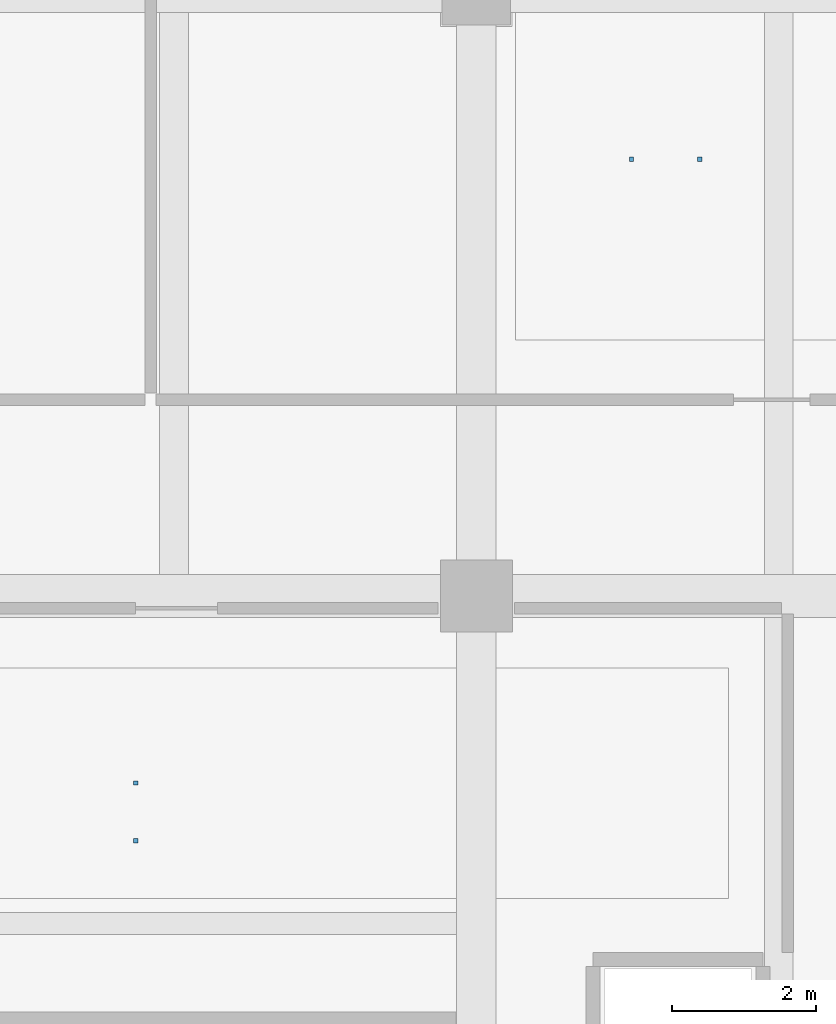
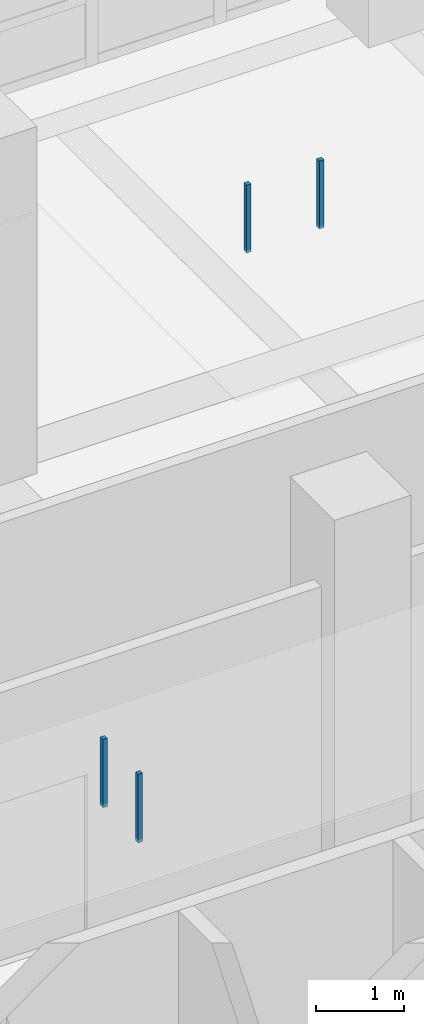
# One storey, part 76 of 122: 4 discrete accessories.
"""IFC4 building model written with IfcOpenShell, lengths in metres."""

from ifc_helpers import new_model, si_unit, direction, frame, origin, origin_2d, place, context, subcontext, project, spatial, rectangle, extrude, material, type_object, element, save


model = new_model("IFC4")

# Units and contexts
model_context = context("Model", 3, precision=1e-05, world=origin(), true_north=direction((0.0, 1.0)))
body_context = subcontext(model_context, "Body", "Model", "MODEL_VIEW")
ifc_project = project(units=[si_unit("LENGTHUNIT", "METRE"), si_unit("AREAUNIT", "SQUARE_METRE"), si_unit("VOLUMEUNIT", "CUBIC_METRE"), si_unit("PLANEANGLEUNIT", "RADIAN"), si_unit("MASSUNIT", "GRAM", prefix="KILO")], contexts=[model_context])

# Site, building, storey
site_placement = place(None, origin())
site = spatial("IfcSite", under=ifc_project, at=site_placement, CompositionType="ELEMENT")
building_placement = place(site_placement, origin())
building = spatial("IfcBuilding", under=site, at=building_placement, Name="Telukmera Botanical Conservatory", CompositionType="ELEMENT")
storey_placement = place(building_placement, frame((0.0, 0.0, 10.199951171875)))
storey = spatial("IfcBuildingStorey", under=building, at=storey_placement, Name="L02", CompositionType="ELEMENT", Elevation=10.199951171875)

# Discrete accessories
ifc_material = material(Name="Steel S355", Category="steel")
discrete_accessory_type = type_object("IfcDiscreteAccessoryType", Name="ACC-CEIL-HGR", PredefinedType="BRACKET", material=ifc_material)
for number, where, z_axis, x_axis, name in (
    (1, (79.27099609375, 31.0, 3.60986328125), (0.0, 0.0, 1.0), (1.0, 0.0, 0.0), "L02 Suspended Ceiling Hanger Rod 028-1"),
    (2, (79.27099609375, 31.800048828125, 3.60986328125), (0.0, 0.0, 1.0), (1.0, 0.0, 0.0), "L02 Suspended Ceiling Hanger Rod 028-2"),
):
    element("IfcDiscreteAccessory", number, at=place(storey_placement, frame(where, z_axis=z_axis, x_axis=x_axis)), inside=storey, type_object=discrete_accessory_type, Name=name, PredefinedType="BRACKET", context=body_context, shape_type="SweptSolid", body=[
        extrude(rectangle(XDim=0.06005859375, YDim=0.06005859375, at=origin_2d()), origin(), (0.0, 0.0, 1.0), 0.945068359375),
    ])
for number, where, z_axis, x_axis, name in (
    (3, (86.1533203125, 40.46240234375, 3.6201171875), (0.0, 0.0, 1.0), (1.0, 0.0, 0.0), "L02 Suspended Ceiling Hanger Rod 047-1"),
    (4, (87.103515625, 40.46240234375, 3.6201171875), (0.0, 0.0, 1.0), (1.0, 0.0, 0.0), "L02 Suspended Ceiling Hanger Rod 047-2"),
):
    element("IfcDiscreteAccessory", number, at=place(storey_placement, frame(where, z_axis=z_axis, x_axis=x_axis)), inside=storey, type_object=discrete_accessory_type, Name=name, PredefinedType="BRACKET", context=body_context, shape_type="SweptSolid", body=[
        extrude(rectangle(XDim=0.06005859375, YDim=0.06005859375, at=origin_2d()), origin(), (0.0, 0.0, 1.0), 0.93505859375),
    ])

save(model, "model.ifc")
